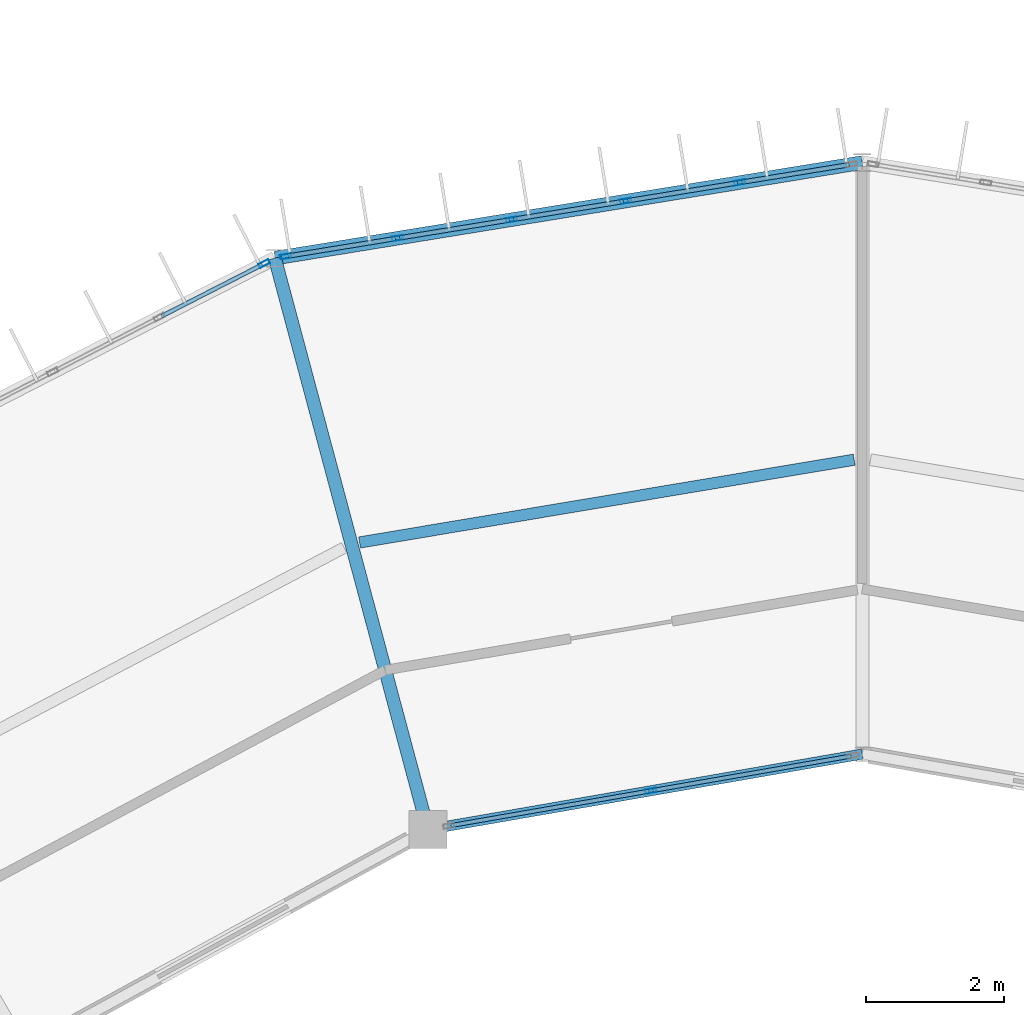
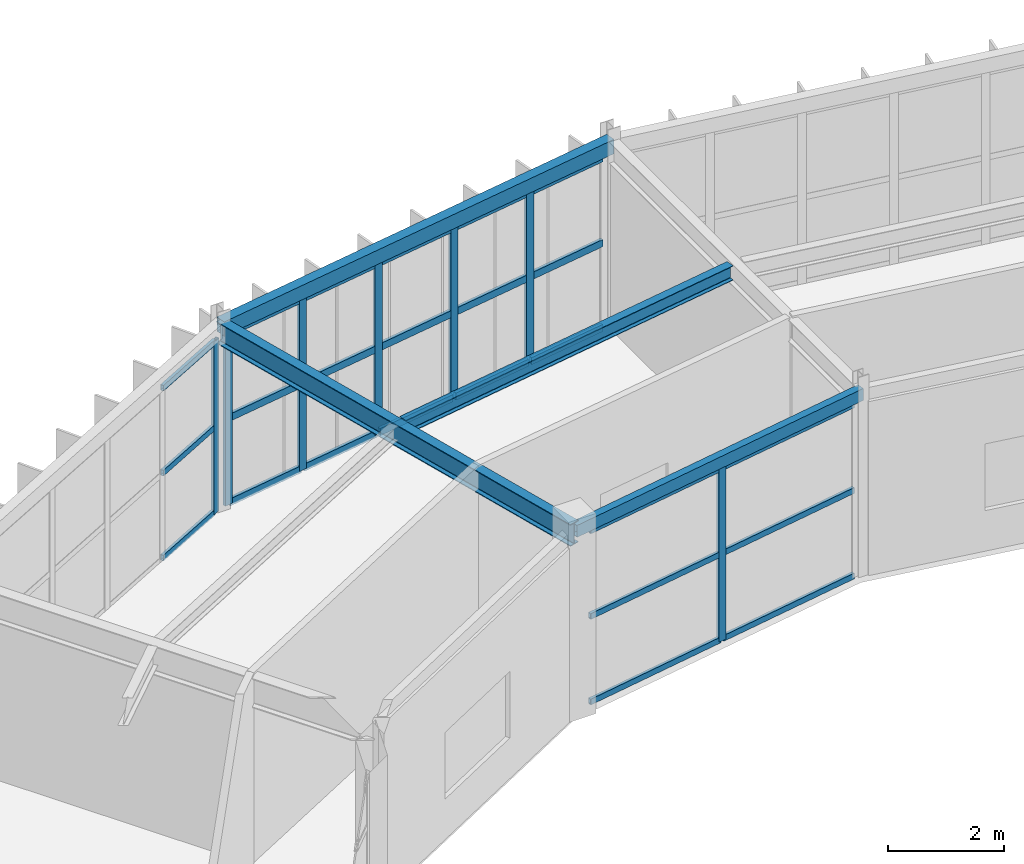
# One storey, part 73 of 134: 31 members, 4 beams, 3 elements without a shape of their own.
"""IFC4 building model written with IfcOpenShell, lengths in metres."""

import ifcopenshell
import ifcopenshell.guid

model = None  # the IFC model being written
_history = None  # IfcOwnerHistory: only IFC2X3 demands one
_inside = {}  # id of a spatial element -> (the spatial element, [elements in it])
_under = {}  # id of a project, library or spatial element -> (it, [spatial elements below it])
_declared = {}  # id of a project -> (the project, [libraries it declares])
_typed = {}  # id of a type object -> (the type object, [elements of that type])
_made_of = {}  # id of a material, layer set ... -> (it, [elements and type objects made of it])


def new_model(schema):
    """Start an empty IFC model of exactly this schema.

    Asked for "IFC4X3", IfcOpenShell would pick the latest addendum, in which some entities
    have other attributes; the version numbers below select the first issue.
    IFC2X3 requires an IfcOwnerHistory on every rooted entity: one is made here for all.
    """
    global model, _history
    if schema == "IFC4X3":
        model = ifcopenshell.file(schema_version=(4, 3, 0, 0))
    else:
        model = ifcopenshell.file(schema=schema)
    _inside.clear()
    _under.clear()
    _declared.clear()
    _typed.clear()
    _made_of.clear()
    _history = None
    if model.schema == "IFC2X3":
        org = make("IfcOrganization", Name="unknown")
        user = make(
            "IfcPersonAndOrganization",
            ThePerson=make("IfcPerson", FamilyName="unknown"),
            TheOrganization=org,
        )
        app = make(
            "IfcApplication",
            ApplicationDeveloper=org,
            Version="unknown",
            ApplicationFullName="unknown",
            ApplicationIdentifier="unknown",
        )
        _history = make(
            "IfcOwnerHistory",
            OwningUser=user,
            OwningApplication=app,
            ChangeAction="ADDED",
            CreationDate=0,
        )
    return model


def make(cls, **values):
    """One entity of the class cls with the attributes given. An attribute that is None is left unset."""
    return model.create_entity(
        cls, **{name: value for name, value in values.items() if value is not None}
    )


def rooted(cls, **values):
    """An entity with a GlobalId (a new one), such as an element, a storey or a relation."""
    return make(cls, GlobalId=ifcopenshell.guid.new(), OwnerHistory=_history, **values)


def si_unit(unit_type, name, prefix=None):
    """IfcSIUnit, for example si_unit("LENGTHUNIT", "METRE", prefix="MILLI")."""
    return make("IfcSIUnit", UnitType=unit_type, Prefix=prefix, Name=name)


def assignment(units):
    """IfcUnitAssignment: the units of a project."""
    return None if units is None else make("IfcUnitAssignment", Units=units)


def point(xyz):
    """IfcCartesianPoint."""
    return None if xyz is None else make("IfcCartesianPoint", Coordinates=xyz)


def direction(xyz):
    """IfcDirection."""
    return None if xyz is None else make("IfcDirection", DirectionRatios=xyz)


def frame(location, z_axis=None, x_axis=None):
    """IfcAxis2Placement3D, a coordinate frame: its origin and axes. An axis left out is left unset."""
    return make(
        "IfcAxis2Placement3D",
        Location=point(location),
        Axis=direction(z_axis),
        RefDirection=direction(x_axis),
    )


def frame_2d(location, x_axis=None):
    """IfcAxis2Placement2D, a coordinate frame in the plane: its origin and x axis."""
    return make(
        "IfcAxis2Placement2D", Location=point(location), RefDirection=direction(x_axis)
    )


def origin():
    """The frame at (0, 0, 0) with its axes left unset."""
    return frame((0.0, 0.0, 0.0))


def origin_2d():
    """The frame at (0, 0) in the plane with its x axis left unset."""
    return frame_2d((0.0, 0.0))


def place(relative_to, where):
    """IfcLocalPlacement: puts the frame where relative to a parent placement (None: the world)."""
    return make(
        "IfcLocalPlacement", PlacementRelTo=relative_to, RelativePlacement=where
    )


def context(
    kind, dimensions, precision=None, world=None, true_north=None, identifier=None
):
    """IfcGeometricRepresentationContext, for example the 3D "Model" context."""
    return make(
        "IfcGeometricRepresentationContext",
        ContextIdentifier=identifier,
        ContextType=kind,
        CoordinateSpaceDimension=dimensions,
        Precision=precision,
        WorldCoordinateSystem=world,
        TrueNorth=true_north,
    )


def subcontext(parent, identifier, kind, view, scale=None):
    """IfcGeometricRepresentationSubContext, for example "Body" below "Model"."""
    return make(
        "IfcGeometricRepresentationSubContext",
        ContextIdentifier=identifier,
        ContextType=kind,
        ParentContext=parent,
        TargetScale=scale,
        TargetView=view,
    )


def project(units=None, contexts=None):
    """IfcProject with its units and contexts."""
    return rooted(
        "IfcProject",
        Name="project",
        RepresentationContexts=contexts,
        UnitsInContext=assignment(units),
    )


def spatial(cls, under=None, at=None, **own):
    """A site, building, storey or space (cls), placed at a placement, below another one or the project."""
    s = rooted(cls, ObjectPlacement=at, **own)
    if under is not None:
        _under.setdefault(under.id(), (under, []))[1].append(s)
    return s


def profile(cls, at=None, kind="AREA", **sizes):
    """A parametric profile (cls). Its sizes go by their IFC names, for example OverallWidth=200.0."""
    return make(cls, ProfileType=kind, Position=at, **sizes)


def hollow_rectangle(**sizes):
    """IfcRectangleHollowProfileDef."""
    return profile("IfcRectangleHollowProfileDef", **sizes)


def i_section(**sizes):
    """IfcIShapeProfileDef."""
    return profile("IfcIShapeProfileDef", **sizes)


def extrude(swept, where, along, depth):
    """IfcExtrudedAreaSolid: the profile swept, set in the frame where, extruded along a direction by depth."""
    return make(
        "IfcExtrudedAreaSolid",
        SweptArea=swept,
        Position=where,
        ExtrudedDirection=direction(along),
        Depth=depth,
    )


def shape(context_of_items, identifier, shape_type, items):
    """IfcShapeRepresentation: the items that make up one representation, for example the "Body"."""
    return make(
        "IfcShapeRepresentation",
        ContextOfItems=context_of_items,
        RepresentationIdentifier=identifier,
        RepresentationType=shape_type,
        Items=items,
    )


def material(Name=None, Category=None):
    """IfcMaterial."""
    return make("IfcMaterial", Name=Name, Category=Category)


def material_profile(
    of_material, cross_section, Name=None, Category=None, Priority=None
):
    """IfcMaterialProfile: a cross section and its material."""
    return make(
        "IfcMaterialProfile",
        Name=Name,
        Material=of_material,
        Profile=cross_section,
        Priority=Priority,
        Category=Category,
    )


def profile_set(profiles, Name=None, composite=None):
    """IfcMaterialProfileSet."""
    return make(
        "IfcMaterialProfileSet",
        Name=Name,
        MaterialProfiles=profiles,
        CompositeProfile=composite,
    )


def made_of(thing, what):
    """Note that an element or type object is made of a material, layer set ...; save() writes the relation."""
    if what is not None:
        _made_of.setdefault(what.id(), (what, []))[1].append(thing)
    return thing


def type_object(cls, material=None, **own):
    """A type object (cls), such as IfcWallType, which elements share."""
    return made_of(rooted(cls, **own), material)


def element(
    cls,
    number,
    at=None,
    inside=None,
    cuts=None,
    type_object=None,
    material=None,
    context=None,
    identifier="Body",
    shape_type=None,
    held_by="IfcProductDefinitionShape",
    body=None,
    shapes=None,
    **own,
):
    """One element of the class cls, such as IfcWall. Its Tag is "e" and its number.

    at: its placement. inside: the storey or other place that contains it. cuts: it is an
    opening in that element (IfcRelVoidsElement). A single representation is given by context,
    identifier, shape_type and body (its items); several are given by shapes. held_by: the class
    of the entity that holds the representations. save() writes the other relations.
    """
    e = rooted(cls, Tag="e%d" % number, ObjectPlacement=at, **own)
    if body is not None:
        shapes = [shape(context, identifier, shape_type, body)]
    if shapes is not None:
        e.Representation = make(held_by, Representations=shapes)
    if inside is not None:
        _inside.setdefault(inside.id(), (inside, []))[1].append(e)
    if cuts is not None:
        rooted(
            "IfcRelVoidsElement", RelatingBuildingElement=cuts, RelatedOpeningElement=e
        )
    if type_object is not None:
        _typed.setdefault(type_object.id(), (type_object, []))[1].append(e)
    return made_of(e, material)


def aggregate(whole, parts):
    """IfcRelAggregates: a whole, such as a stair, and the parts it consists of."""
    return rooted("IfcRelAggregates", RelatingObject=whole, RelatedObjects=parts)


def save(model, path):
    """Write the relations noted so far, then the file.

    IfcRelAggregates (storeys below a building ...), IfcRelContainedInSpatialStructure (elements
    in a storey), IfcRelDefinesByType, IfcRelAssociatesMaterial and IfcRelDeclares: one each for
    every whole, place, type object, material and project.
    """
    for whole, parts in _under.values():
        aggregate(whole, parts)
    for where, things in _inside.values():
        rooted(
            "IfcRelContainedInSpatialStructure",
            RelatedElements=things,
            RelatingStructure=where,
        )
    for kind, things in _typed.values():
        rooted("IfcRelDefinesByType", RelatedObjects=things, RelatingType=kind)
    for what, things in _made_of.values():
        rooted("IfcRelAssociatesMaterial", RelatedObjects=things, RelatingMaterial=what)
    for by, libraries in _declared.values():
        rooted("IfcRelDeclares", RelatingContext=by, RelatedDefinitions=libraries)
    model.write(path)


model = new_model("IFC4")

# Units and contexts
model_context = context("Model", 3, precision=1e-05, world=origin(), true_north=direction((0.0, 1.0)))
body_context = subcontext(model_context, "Body", "Model", "MODEL_VIEW")
ifc_project = project(units=[si_unit("LENGTHUNIT", "METRE"), si_unit("AREAUNIT", "SQUARE_METRE"), si_unit("VOLUMEUNIT", "CUBIC_METRE"), si_unit("PLANEANGLEUNIT", "RADIAN"), si_unit("MASSUNIT", "GRAM", prefix="KILO")], contexts=[model_context])

# Site, building, storey
site_placement = place(None, origin())
site = spatial("IfcSite", under=ifc_project, at=site_placement, CompositionType="ELEMENT")
building_placement = place(site_placement, origin())
building = spatial("IfcBuilding", under=site, at=building_placement, Name="Karori Crest Natural Sciences Institute", CompositionType="ELEMENT")
storey_placement = place(building_placement, frame((0.0, 0.0, 21.699951171875)))
storey = spatial("IfcBuildingStorey", under=building, at=storey_placement, Name="L05", CompositionType="ELEMENT", Elevation=21.699951171875)

# Beams
ifc_material_1 = material(Name="Structural steel AS/NZS 3679.1 Grade 350", Category="steel")
ifc_material_profile_1 = material_profile(ifc_material_1, i_section(OverallWidth=0.19091796875, OverallDepth=0.4599609375, WebThickness=0.010009765625, FlangeThickness=0.01611328125, FilletRadius=0.010986328125, at=origin_2d()), Name="460UB82.1")
ifc_profile_set_1 = profile_set([ifc_material_profile_1], Name="Structural steel AS/NZS 3679.1 Grade 350")
beam_type_1 = type_object("IfcBeamType", Name="BT-06", PredefinedType="BEAM", material=ifc_profile_set_1)
beam_1_placement = place(storey_placement, frame((60.084716796875, 81.002685546875, 3.7099609375), z_axis=(-0.258812709002, 0.96592752402, 0.0), x_axis=(-0.96592752402, -0.258812709002, 0.0)))
element("IfcBeam", 1, at=beam_1_placement, inside=storey, type_object=beam_type_1, Name="Beam B-0569", PredefinedType="BEAM", context=body_context, shape_type="SweptSolid", body=[
    extrude(i_section(OverallWidth=0.19091796875, OverallDepth=0.4599609375, WebThickness=0.010009765625, FlangeThickness=0.01611328125, FilletRadius=0.010986328125, at=origin_2d()), origin(), (0.0, 0.0, 1.0), 8.60009765625),
])
ifc_material_profile_2 = material_profile(ifc_material_1, i_section(OverallWidth=0.1650390625, OverallDepth=0.303955078125, WebThickness=0.006103515625, FlangeThickness=0.01025390625, FilletRadius=0.010986328125, at=origin_2d()), Name="310UB40.4")
ifc_profile_set_2 = profile_set([ifc_material_profile_2], Name="Structural steel AS/NZS 3679.1 Grade 350")
beam_type_2 = type_object("IfcBeamType", Name="BT-10", PredefinedType="BEAM", material=ifc_profile_set_2)
beam_2_placement = place(storey_placement, frame((66.281494140625, 86.380126953125, 3.7880859375), z_axis=(-0.98626966223, -0.165142827164, 0.0), x_axis=(0.165142827164, -0.98626966223, 0.0)))
element("IfcBeam", 2, at=beam_2_placement, inside=storey, type_object=beam_type_2, Name="Beam B-0566", PredefinedType="BEAM", context=body_context, shape_type="SweptSolid", body=[
    extrude(i_section(OverallWidth=0.1650390625, OverallDepth=0.303955078125, WebThickness=0.006103515625, FlangeThickness=0.01025390625, FilletRadius=0.010986328125, at=origin_2d()), origin(), (0.0, 0.0, 1.0), 7.291259765625),
])
ifc_material_2 = material(Name="Hollow structural steel AS/NZS 1163 Grade C350", Category="steel")
ifc_material_profile_3 = material_profile(ifc_material_2, hollow_rectangle(XDim=0.199951171875, YDim=0.300048828125, WallThickness=0.010009765625, at=origin_2d()), Name="RHS300x200x10")
ifc_profile_set_3 = profile_set([ifc_material_profile_3], Name="Hollow structural steel AS/NZS 1163 Grade C350")
beam_type_3 = type_object("IfcBeamType", Name="BT-15", PredefinedType="SPANDREL", material=ifc_profile_set_3)
beam_3_placement = place(storey_placement, frame((66.39990234375, 90.699951171875, 3.7900390625), z_axis=(-0.987012055933, -0.160646199591, 0.0), x_axis=(0.160646199591, -0.987012055933, 0.0)))
element("IfcBeam", 3, at=beam_3_placement, inside=storey, type_object=beam_type_3, Name="Beam B-0563", PredefinedType="SPANDREL", context=body_context, shape_type="SweptSolid", body=[
    extrude(hollow_rectangle(XDim=0.199951171875, YDim=0.300048828125, WallThickness=0.010009765625, at=origin_2d()), origin(), (0.0, 0.0, 1.0), 8.6533203125),
])
ifc_material_profile_4 = material_profile(ifc_material_2, hollow_rectangle(XDim=0.14990234375, YDim=0.25, WallThickness=0.009033203125, at=origin_2d()), Name="RHS250x150x9")
ifc_profile_set_4 = profile_set([ifc_material_profile_4], Name="Hollow structural steel AS/NZS 1163 Grade C350")
beam_type_4 = type_object("IfcBeamType", Name="BT-16", PredefinedType="SPANDREL", material=ifc_profile_set_4)
beam_4_placement = place(storey_placement, frame((66.39990234375, 82.10009765625, 3.7900390625), z_axis=(-0.985234948316, -0.171207758638, 0.0), x_axis=(0.171207758638, -0.985234948316, 0.0)))
element("IfcBeam", 4, at=beam_4_placement, inside=storey, type_object=beam_type_4, Name="Beam B-0564", PredefinedType="SPANDREL", context=body_context, shape_type="SweptSolid", body=[
    extrude(hollow_rectangle(XDim=0.14990234375, YDim=0.25, WallThickness=0.009033203125, at=origin_2d()), origin(), (0.0, 0.0, 1.0), 6.409912109375),
])

# Curtain wall, members
ifc_material_3 = material(Name="Anodised architectural aluminium 6063-T6", Category="aluminium")
curtain_wall_type_1 = type_object("IfcCurtainWallType", Name="CWT-07", PredefinedType="NOTDEFINED", material=ifc_material_3)
curtain_wall_1_placement = place(storey_placement, origin())
curtain_wall_1 = element("IfcCurtainWall", 5, at=curtain_wall_1_placement, inside=storey, type_object=curtain_wall_type_1, Name="Curtain wall CW-0181", PredefinedType="NOTDEFINED")
ifc_material_profile_5 = material_profile(ifc_material_3, hollow_rectangle(XDim=0.06494140625, YDim=0.159912109375, WallThickness=0.00390625, at=origin_2d()), Name="CWM160x65x4")
ifc_profile_set_5 = profile_set([ifc_material_profile_5], Name="Anodised architectural aluminium 6063-T6")
member_type_1 = type_object("IfcMemberType", Name="CWM-01", PredefinedType="MULLION", material=ifc_profile_set_5)
member_1_placement = place(storey_placement, frame((58.01611328125, 89.33544921875, 0.0), z_axis=(0.0, 0.0, 1.0), x_axis=(-0.160650246484, 0.987011397252, 0.0)))
member_1 = element("IfcMember", 6, at=member_1_placement, type_object=member_type_1, Name="CW-0181 mullion 1", PredefinedType="MULLION", context=body_context, shape_type="SweptSolid", body=[
    extrude(hollow_rectangle(XDim=0.06494140625, YDim=0.159912109375, WallThickness=0.00390625, at=origin_2d()), origin(), (0.0, 0.0, 1.0), 3.625),
])
member_2_placement = place(storey_placement, frame((59.64208984375, 89.60009765625, 0.0), z_axis=(0.0, 0.0, 1.0), x_axis=(-0.160650246484, 0.987011397252, 0.0)))
member_2 = element("IfcMember", 7, at=member_2_placement, type_object=member_type_1, Name="CW-0181 mullion 2", PredefinedType="MULLION", context=body_context, shape_type="SweptSolid", body=[
    extrude(hollow_rectangle(XDim=0.06494140625, YDim=0.159912109375, WallThickness=0.00390625, at=origin_2d()), origin(), (0.0, 0.0, 1.0), 3.625),
])
member_3_placement = place(storey_placement, frame((61.300048828125, 89.869873046875, 0.0), z_axis=(0.0, 0.0, 1.0), x_axis=(-0.160650246484, 0.987011397252, 0.0)))
member_3 = element("IfcMember", 8, at=member_3_placement, type_object=member_type_1, Name="CW-0181 mullion 3", PredefinedType="MULLION", context=body_context, shape_type="SweptSolid", body=[
    extrude(hollow_rectangle(XDim=0.06494140625, YDim=0.159912109375, WallThickness=0.00390625, at=origin_2d()), origin(), (0.0, 0.0, 1.0), 3.625),
])
member_4_placement = place(storey_placement, frame((62.9580078125, 90.139892578125, 0.0), z_axis=(0.0, 0.0, 1.0), x_axis=(-0.160650246484, 0.987011397252, 0.0)))
member_4 = element("IfcMember", 9, at=member_4_placement, type_object=member_type_1, Name="CW-0181 mullion 4", PredefinedType="MULLION", context=body_context, shape_type="SweptSolid", body=[
    extrude(hollow_rectangle(XDim=0.06494140625, YDim=0.159912109375, WallThickness=0.00390625, at=origin_2d()), origin(), (0.0, 0.0, 1.0), 3.625),
])
member_5_placement = place(storey_placement, frame((64.615966796875, 90.40966796875, 0.0), z_axis=(0.0, 0.0, 1.0), x_axis=(-0.160650246484, 0.987011397252, 0.0)))
member_5 = element("IfcMember", 10, at=member_5_placement, type_object=member_type_1, Name="CW-0181 mullion 5", PredefinedType="MULLION", context=body_context, shape_type="SweptSolid", body=[
    extrude(hollow_rectangle(XDim=0.06494140625, YDim=0.159912109375, WallThickness=0.00390625, at=origin_2d()), origin(), (0.0, 0.0, 1.0), 3.625),
])

# Curtain wall, member
curtain_wall_type_2 = type_object("IfcCurtainWallType", Name="CWT-12", PredefinedType="NOTDEFINED", material=ifc_material_3)
curtain_wall_2_placement = place(storey_placement, origin())
curtain_wall_2 = element("IfcCurtainWall", 11, at=curtain_wall_2_placement, inside=storey, type_object=curtain_wall_type_2, Name="Curtain wall CW-0182", PredefinedType="NOTDEFINED")
member_6_placement = place(storey_placement, frame((63.32861328125, 81.56640625, 0.0), z_axis=(0.0, 0.0, 1.0), x_axis=(0.171173924291, -0.985240827231, 0.0)))
member_6 = element("IfcMember", 12, at=member_6_placement, type_object=member_type_1, Name="CW-0182 mullion 2", PredefinedType="MULLION", context=body_context, shape_type="SweptSolid", body=[
    extrude(hollow_rectangle(XDim=0.06494140625, YDim=0.159912109375, WallThickness=0.00390625, at=origin_2d()), origin(), (0.0, 0.0, 1.0), 3.650146484375),
])

curtain_wall_type_3 = type_object("IfcCurtainWallType", Name="CWT-08", PredefinedType="NOTDEFINED", material=ifc_material_3)
curtain_wall_3_placement = place(storey_placement, origin())
curtain_wall_3 = element("IfcCurtainWall", 13, at=curtain_wall_3_placement, inside=storey, type_object=curtain_wall_type_3, Name="Curtain wall CW-0183", PredefinedType="NOTDEFINED")
member_7_placement = place(storey_placement, frame((57.704833984375, 89.23095703125, 0.0), z_axis=(0.0, 0.0, 1.0), x_axis=(-0.455828878252, 0.890067432138, 0.0)))
member_7 = element("IfcMember", 14, at=member_7_placement, type_object=member_type_1, Name="CW-0183 mullion 6", PredefinedType="MULLION", context=body_context, shape_type="SweptSolid", body=[
    extrude(hollow_rectangle(XDim=0.06494140625, YDim=0.159912109375, WallThickness=0.00390625, at=origin_2d()), origin(), (0.0, 0.0, 1.0), 3.625),
])

# Member
ifc_material_profile_6 = material_profile(ifc_material_3, hollow_rectangle(XDim=0.06005859375, YDim=0.1201171875, WallThickness=0.00390625, at=origin_2d()), Name="CWT120x60x4")
ifc_profile_set_6 = profile_set([ifc_material_profile_6], Name="Anodised architectural aluminium 6063-T6")
member_type_2 = type_object("IfcMemberType", Name="CWT-TR1", PredefinedType="USERDEFINED", material=ifc_profile_set_6)
member_8_placement = place(storey_placement, frame((66.2353515625, 82.0712890625, 0.030029296875), z_axis=(-0.985251645562, -0.171111644601, 0.0), x_axis=(0.171111644601, -0.985251645562, 0.0)))
member_8 = element("IfcMember", 15, at=member_8_placement, type_object=member_type_2, Name="CW-0182 transom 1.1", ObjectType="TRANSOM", PredefinedType="USERDEFINED", context=body_context, shape_type="SweptSolid", body=[
    extrude(hollow_rectangle(XDim=0.06005859375, YDim=0.1201171875, WallThickness=0.00390625, at=origin_2d()), origin(), (0.0, 0.0, 1.0), 2.917724609375),
])

member_9_placement = place(storey_placement, frame((66.2353515625, 82.0712890625, 1.824951171875), z_axis=(-0.985251645562, -0.171111644601, 0.0), x_axis=(0.171111644601, -0.985251645562, 0.0)))
member_9 = element("IfcMember", 16, at=member_9_placement, type_object=member_type_2, Name="CW-0182 transom 1.2", ObjectType="TRANSOM", PredefinedType="USERDEFINED", context=body_context, shape_type="SweptSolid", body=[
    extrude(hollow_rectangle(XDim=0.06005859375, YDim=0.1201171875, WallThickness=0.00390625, at=origin_2d()), origin(), (0.0, 0.0, 1.0), 2.917724609375),
])

member_10_placement = place(storey_placement, frame((66.2353515625, 82.0712890625, 3.6201171875), z_axis=(-0.985251645562, -0.171111644601, 0.0), x_axis=(0.171111644601, -0.985251645562, 0.0)))
member_10 = element("IfcMember", 17, at=member_10_placement, type_object=member_type_2, Name="CW-0182 transom 1.3", ObjectType="TRANSOM", PredefinedType="USERDEFINED", context=body_context, shape_type="SweptSolid", body=[
    extrude(hollow_rectangle(XDim=0.06005859375, YDim=0.1201171875, WallThickness=0.00390625, at=origin_2d()), origin(), (0.0, 0.0, 1.0), 2.917724609375),
])

member_11_placement = place(storey_placement, frame((63.296630859375, 81.560791015625, 0.030029296875), z_axis=(-0.98523753612, -0.171192866149, 0.0), x_axis=(0.171192866149, -0.98523753612, 0.0)))
member_11 = element("IfcMember", 18, at=member_11_placement, type_object=member_type_2, Name="CW-0182 transom 2.1", ObjectType="TRANSOM", PredefinedType="USERDEFINED", context=body_context, shape_type="SweptSolid", body=[
    extrude(hollow_rectangle(XDim=0.06005859375, YDim=0.1201171875, WallThickness=0.00390625, at=origin_2d()), origin(), (0.0, 0.0, 1.0), 2.917724609375),
])

member_12_placement = place(storey_placement, frame((63.296630859375, 81.560791015625, 1.824951171875), z_axis=(-0.98523753612, -0.171192866149, 0.0), x_axis=(0.171192866149, -0.98523753612, 0.0)))
member_12 = element("IfcMember", 19, at=member_12_placement, type_object=member_type_2, Name="CW-0182 transom 2.2", ObjectType="TRANSOM", PredefinedType="USERDEFINED", context=body_context, shape_type="SweptSolid", body=[
    extrude(hollow_rectangle(XDim=0.06005859375, YDim=0.1201171875, WallThickness=0.00390625, at=origin_2d()), origin(), (0.0, 0.0, 1.0), 2.917724609375),
])

member_13_placement = place(storey_placement, frame((63.296630859375, 81.560791015625, 3.6201171875), z_axis=(-0.98523753612, -0.171192866149, 0.0), x_axis=(0.171192866149, -0.98523753612, 0.0)))
member_13 = element("IfcMember", 20, at=member_13_placement, type_object=member_type_2, Name="CW-0182 transom 2.3", ObjectType="TRANSOM", PredefinedType="USERDEFINED", context=body_context, shape_type="SweptSolid", body=[
    extrude(hollow_rectangle(XDim=0.06005859375, YDim=0.1201171875, WallThickness=0.00390625, at=origin_2d()), origin(), (0.0, 0.0, 1.0), 2.917724609375),
])

aggregate(curtain_wall_2, [member_6, member_8, member_9, member_10, member_11, member_12, member_13])

member_14_placement = place(storey_placement, frame((56.2109375, 88.4658203125, 0.030029296875), z_axis=(0.890084461025, 0.455795625518, 0.0), x_axis=(-0.455795625518, 0.890084461025, 0.0)))
member_14 = element("IfcMember", 21, at=member_14_placement, type_object=member_type_2, Name="CW-0183 transom 5.1", ObjectType="TRANSOM", PredefinedType="USERDEFINED", context=body_context, shape_type="SweptSolid", body=[
    extrude(hollow_rectangle(XDim=0.06005859375, YDim=0.1201171875, WallThickness=0.00390625, at=origin_2d()), origin(), (0.0, 0.0, 1.0), 1.64599609375),
])

member_15_placement = place(storey_placement, frame((56.2109375, 88.4658203125, 1.8125), z_axis=(0.890084461025, 0.455795625518, 0.0), x_axis=(-0.455795625518, 0.890084461025, 0.0)))
member_15 = element("IfcMember", 22, at=member_15_placement, type_object=member_type_2, Name="CW-0183 transom 5.2", ObjectType="TRANSOM", PredefinedType="USERDEFINED", context=body_context, shape_type="SweptSolid", body=[
    extrude(hollow_rectangle(XDim=0.06005859375, YDim=0.1201171875, WallThickness=0.00390625, at=origin_2d()), origin(), (0.0, 0.0, 1.0), 1.64599609375),
])

member_16_placement = place(storey_placement, frame((56.2109375, 88.4658203125, 3.594970703125), z_axis=(0.890084461025, 0.455795625518, 0.0), x_axis=(-0.455795625518, 0.890084461025, 0.0)))
member_16 = element("IfcMember", 23, at=member_16_placement, type_object=member_type_2, Name="CW-0183 transom 5.3", ObjectType="TRANSOM", PredefinedType="USERDEFINED", context=body_context, shape_type="SweptSolid", body=[
    extrude(hollow_rectangle(XDim=0.06005859375, YDim=0.1201171875, WallThickness=0.00390625, at=origin_2d()), origin(), (0.0, 0.0, 1.0), 1.64599609375),
])

aggregate(curtain_wall_3, [member_7, member_14, member_15, member_16])

ifc_material_profile_7 = material_profile(ifc_material_3, hollow_rectangle(XDim=0.06494140625, YDim=0.14990234375, WallThickness=0.00390625, at=origin_2d()), Name="CWT150x65x4")
ifc_profile_set_7 = profile_set([ifc_material_profile_7], Name="Anodised architectural aluminium 6063-T6")
member_type_3 = type_object("IfcMemberType", Name="CWT-TR2", PredefinedType="USERDEFINED", material=ifc_profile_set_7)
member_17_placement = place(storey_placement, frame((58.04833984375, 89.340576171875, 0.032470703125), z_axis=(0.987016373134, 0.160619672414, 0.0), x_axis=(-0.160619672414, 0.987016373134, 0.0)))
member_17 = element("IfcMember", 24, at=member_17_placement, type_object=member_type_3, Name="CW-0181 transom 1.1", ObjectType="TRANSOM", PredefinedType="USERDEFINED", context=body_context, shape_type="SweptSolid", body=[
    extrude(hollow_rectangle(XDim=0.06494140625, YDim=0.14990234375, WallThickness=0.00390625, at=origin_2d()), origin(), (0.0, 0.0, 1.0), 1.582275390625),
])

member_18_placement = place(storey_placement, frame((58.04833984375, 89.340576171875, 1.8125), z_axis=(0.987016373134, 0.160619672414, 0.0), x_axis=(-0.160619672414, 0.987016373134, 0.0)))
member_18 = element("IfcMember", 25, at=member_18_placement, type_object=member_type_3, Name="CW-0181 transom 1.2", ObjectType="TRANSOM", PredefinedType="USERDEFINED", context=body_context, shape_type="SweptSolid", body=[
    extrude(hollow_rectangle(XDim=0.06494140625, YDim=0.14990234375, WallThickness=0.00390625, at=origin_2d()), origin(), (0.0, 0.0, 1.0), 1.582275390625),
])

member_19_placement = place(storey_placement, frame((58.04833984375, 89.340576171875, 3.592529296875), z_axis=(0.987016373134, 0.160619672414, 0.0), x_axis=(-0.160619672414, 0.987016373134, 0.0)))
member_19 = element("IfcMember", 26, at=member_19_placement, type_object=member_type_3, Name="CW-0181 transom 1.3", ObjectType="TRANSOM", PredefinedType="USERDEFINED", context=body_context, shape_type="SweptSolid", body=[
    extrude(hollow_rectangle(XDim=0.06494140625, YDim=0.14990234375, WallThickness=0.00390625, at=origin_2d()), origin(), (0.0, 0.0, 1.0), 1.582275390625),
])

member_20_placement = place(storey_placement, frame((59.674072265625, 89.605224609375, 0.032470703125), z_axis=(0.987003924492, 0.160696151284, 0.0), x_axis=(-0.160696151284, 0.987003924492, 0.0)))
member_20 = element("IfcMember", 27, at=member_20_placement, type_object=member_type_3, Name="CW-0181 transom 2.1", ObjectType="TRANSOM", PredefinedType="USERDEFINED", context=body_context, shape_type="SweptSolid", body=[
    extrude(hollow_rectangle(XDim=0.06494140625, YDim=0.14990234375, WallThickness=0.00390625, at=origin_2d()), origin(), (0.0, 0.0, 1.0), 1.614990234375),
])

member_21_placement = place(storey_placement, frame((59.674072265625, 89.605224609375, 1.8125), z_axis=(0.987003924492, 0.160696151284, 0.0), x_axis=(-0.160696151284, 0.987003924492, 0.0)))
member_21 = element("IfcMember", 28, at=member_21_placement, type_object=member_type_3, Name="CW-0181 transom 2.2", ObjectType="TRANSOM", PredefinedType="USERDEFINED", context=body_context, shape_type="SweptSolid", body=[
    extrude(hollow_rectangle(XDim=0.06494140625, YDim=0.14990234375, WallThickness=0.00390625, at=origin_2d()), origin(), (0.0, 0.0, 1.0), 1.614990234375),
])

member_22_placement = place(storey_placement, frame((59.674072265625, 89.605224609375, 3.592529296875), z_axis=(0.987003924492, 0.160696151284, 0.0), x_axis=(-0.160696151284, 0.987003924492, 0.0)))
member_22 = element("IfcMember", 29, at=member_22_placement, type_object=member_type_3, Name="CW-0181 transom 2.3", ObjectType="TRANSOM", PredefinedType="USERDEFINED", context=body_context, shape_type="SweptSolid", body=[
    extrude(hollow_rectangle(XDim=0.06494140625, YDim=0.14990234375, WallThickness=0.00390625, at=origin_2d()), origin(), (0.0, 0.0, 1.0), 1.614990234375),
])

member_23_placement = place(storey_placement, frame((61.33203125, 89.875244140625, 0.032470703125), z_axis=(0.987027891182, 0.160548877383, 0.0), x_axis=(-0.160548877383, 0.987027891182, 0.0)))
member_23 = element("IfcMember", 30, at=member_23_placement, type_object=member_type_3, Name="CW-0181 transom 3.1", ObjectType="TRANSOM", PredefinedType="USERDEFINED", context=body_context, shape_type="SweptSolid", body=[
    extrude(hollow_rectangle(XDim=0.06494140625, YDim=0.14990234375, WallThickness=0.00390625, at=origin_2d()), origin(), (0.0, 0.0, 1.0), 1.614990234375),
])

member_24_placement = place(storey_placement, frame((61.33203125, 89.875244140625, 1.8125), z_axis=(0.987027891182, 0.160548877383, 0.0), x_axis=(-0.160548877383, 0.987027891182, 0.0)))
member_24 = element("IfcMember", 31, at=member_24_placement, type_object=member_type_3, Name="CW-0181 transom 3.2", ObjectType="TRANSOM", PredefinedType="USERDEFINED", context=body_context, shape_type="SweptSolid", body=[
    extrude(hollow_rectangle(XDim=0.06494140625, YDim=0.14990234375, WallThickness=0.00390625, at=origin_2d()), origin(), (0.0, 0.0, 1.0), 1.614990234375),
])

member_25_placement = place(storey_placement, frame((61.33203125, 89.875244140625, 3.592529296875), z_axis=(0.987027891182, 0.160548877383, 0.0), x_axis=(-0.160548877383, 0.987027891182, 0.0)))
member_25 = element("IfcMember", 32, at=member_25_placement, type_object=member_type_3, Name="CW-0181 transom 3.3", ObjectType="TRANSOM", PredefinedType="USERDEFINED", context=body_context, shape_type="SweptSolid", body=[
    extrude(hollow_rectangle(XDim=0.06494140625, YDim=0.14990234375, WallThickness=0.00390625, at=origin_2d()), origin(), (0.0, 0.0, 1.0), 1.614990234375),
])

member_26_placement = place(storey_placement, frame((62.990234375, 90.14501953125, 0.032470703125), z_axis=(0.987023993607, 0.160572837195, 0.0), x_axis=(-0.160572837195, 0.987023993607, 0.0)))
member_26 = element("IfcMember", 33, at=member_26_placement, type_object=member_type_3, Name="CW-0181 transom 4.1", ObjectType="TRANSOM", PredefinedType="USERDEFINED", context=body_context, shape_type="SweptSolid", body=[
    extrude(hollow_rectangle(XDim=0.06494140625, YDim=0.14990234375, WallThickness=0.00390625, at=origin_2d()), origin(), (0.0, 0.0, 1.0), 1.61474609375),
])

member_27_placement = place(storey_placement, frame((62.990234375, 90.14501953125, 1.8125), z_axis=(0.987023993607, 0.160572837195, 0.0), x_axis=(-0.160572837195, 0.987023993607, 0.0)))
member_27 = element("IfcMember", 34, at=member_27_placement, type_object=member_type_3, Name="CW-0181 transom 4.2", ObjectType="TRANSOM", PredefinedType="USERDEFINED", context=body_context, shape_type="SweptSolid", body=[
    extrude(hollow_rectangle(XDim=0.06494140625, YDim=0.14990234375, WallThickness=0.00390625, at=origin_2d()), origin(), (0.0, 0.0, 1.0), 1.61474609375),
])

member_28_placement = place(storey_placement, frame((62.990234375, 90.14501953125, 3.592529296875), z_axis=(0.987023993607, 0.160572837195, 0.0), x_axis=(-0.160572837195, 0.987023993607, 0.0)))
member_28 = element("IfcMember", 35, at=member_28_placement, type_object=member_type_3, Name="CW-0181 transom 4.3", ObjectType="TRANSOM", PredefinedType="USERDEFINED", context=body_context, shape_type="SweptSolid", body=[
    extrude(hollow_rectangle(XDim=0.06494140625, YDim=0.14990234375, WallThickness=0.00390625, at=origin_2d()), origin(), (0.0, 0.0, 1.0), 1.61474609375),
])

member_29_placement = place(storey_placement, frame((64.648193359375, 90.414794921875, 0.032470703125), z_axis=(0.987016373134, 0.160619672414, 0.0), x_axis=(-0.160619672414, 0.987016373134, 0.0)))
member_29 = element("IfcMember", 36, at=member_29_placement, type_object=member_type_3, Name="CW-0181 transom 5.1", ObjectType="TRANSOM", PredefinedType="USERDEFINED", context=body_context, shape_type="SweptSolid", body=[
    extrude(hollow_rectangle(XDim=0.06494140625, YDim=0.14990234375, WallThickness=0.00390625, at=origin_2d()), origin(), (0.0, 0.0, 1.0), 1.582275390625),
])

member_30_placement = place(storey_placement, frame((64.648193359375, 90.414794921875, 1.8125), z_axis=(0.987016373134, 0.160619672414, 0.0), x_axis=(-0.160619672414, 0.987016373134, 0.0)))
member_30 = element("IfcMember", 37, at=member_30_placement, type_object=member_type_3, Name="CW-0181 transom 5.2", ObjectType="TRANSOM", PredefinedType="USERDEFINED", context=body_context, shape_type="SweptSolid", body=[
    extrude(hollow_rectangle(XDim=0.06494140625, YDim=0.14990234375, WallThickness=0.00390625, at=origin_2d()), origin(), (0.0, 0.0, 1.0), 1.582275390625),
])

member_31_placement = place(storey_placement, frame((64.648193359375, 90.414794921875, 3.592529296875), z_axis=(0.987016373134, 0.160619672414, 0.0), x_axis=(-0.160619672414, 0.987016373134, 0.0)))
member_31 = element("IfcMember", 38, at=member_31_placement, type_object=member_type_3, Name="CW-0181 transom 5.3", ObjectType="TRANSOM", PredefinedType="USERDEFINED", context=body_context, shape_type="SweptSolid", body=[
    extrude(hollow_rectangle(XDim=0.06494140625, YDim=0.14990234375, WallThickness=0.00390625, at=origin_2d()), origin(), (0.0, 0.0, 1.0), 1.582275390625),
])

aggregate(curtain_wall_1, [member_1, member_2, member_3, member_4, member_5, member_17, member_18, member_19, member_20, member_21, member_22, member_23, member_24, member_25, member_26, member_27, member_28, member_29, member_30, member_31])

save(model, "model.ifc")
